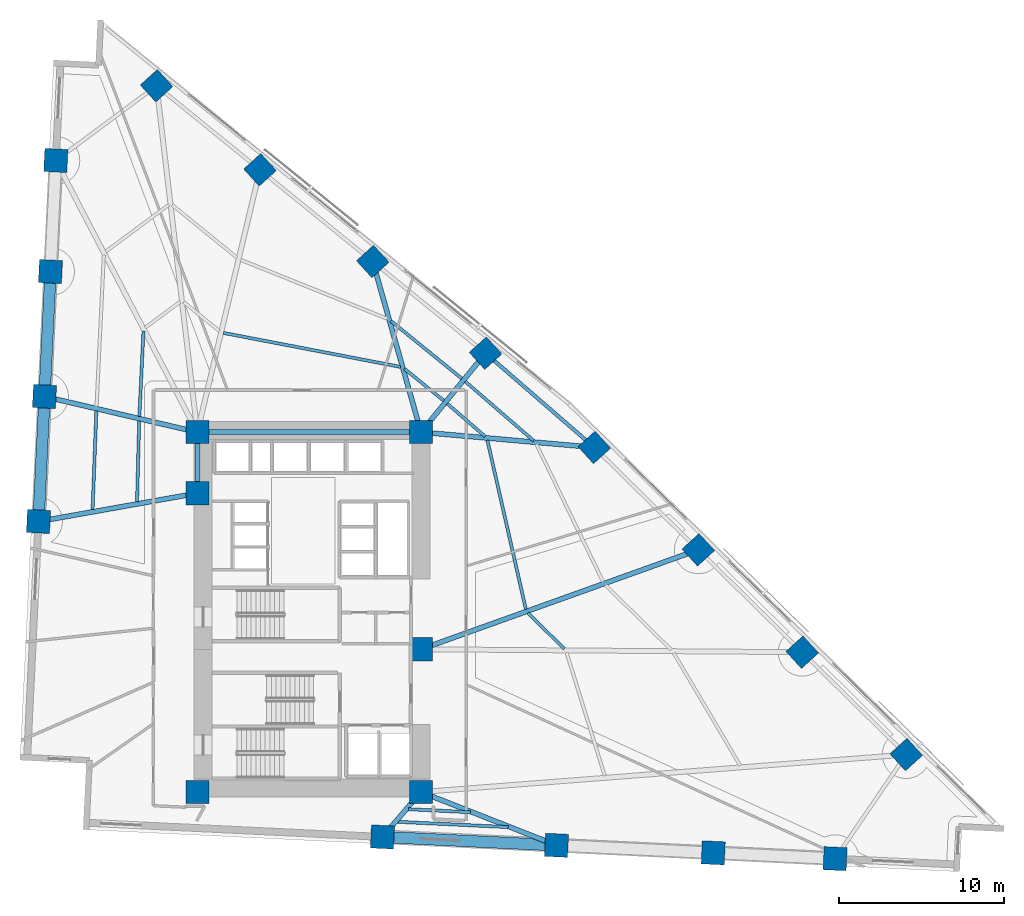
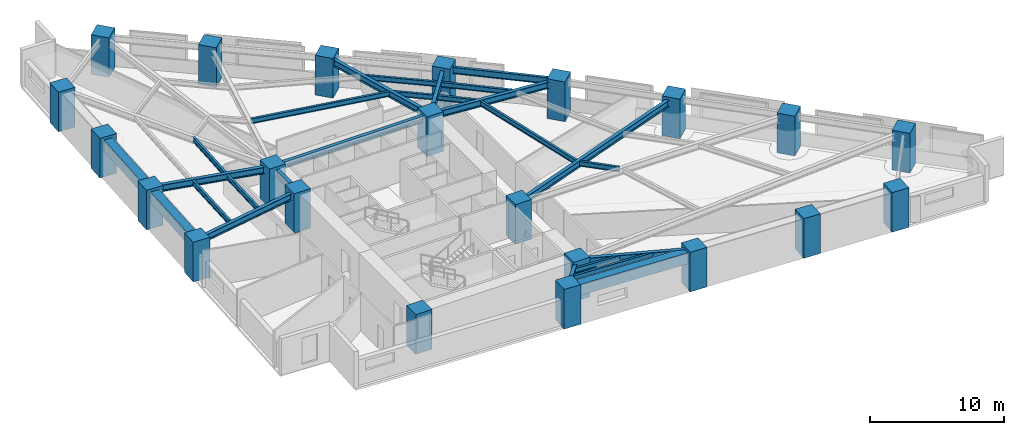
# One storey, part 1 of 18: 26 beams, 22 columns.
"""IFC4 building model written with IfcOpenShell, lengths in metres."""

from ifc_helpers import new_model, si_unit, direction, frame, origin, origin_2d, place, context, subcontext, project, spatial, rectangle, i_section, extrude, material, material_profile, profile_set, type_object, element, save


model = new_model("IFC4")

# Units and contexts
model_context = context("Model", 3, precision=1e-05, world=origin(), true_north=direction((0.0, 1.0)))
body_context = subcontext(model_context, "Body", "Model", "MODEL_VIEW")
ifc_project = project(units=[si_unit("LENGTHUNIT", "METRE"), si_unit("AREAUNIT", "SQUARE_METRE"), si_unit("VOLUMEUNIT", "CUBIC_METRE"), si_unit("PLANEANGLEUNIT", "RADIAN"), si_unit("MASSUNIT", "GRAM", prefix="KILO")], contexts=[model_context])

# Site, building, storey
site_placement = place(None, origin())
site = spatial("IfcSite", under=ifc_project, at=site_placement, CompositionType="ELEMENT")
building_placement = place(site_placement, origin())
building = spatial("IfcBuilding", under=site, at=building_placement, Name="Narakoshi Arena Tower", CompositionType="ELEMENT")
storey_placement = place(building_placement, frame((0.0, 0.0, 44.699951171875)))
storey = spatial("IfcBuildingStorey", under=building, at=storey_placement, Name="L11", CompositionType="ELEMENT", Elevation=44.699951171875)

# Columns
ifc_material_1 = material(Name="Concrete C60/75", Category="concrete")
ifc_material_profile_1 = material_profile(ifc_material_1, rectangle(XDim=1.39990234375, YDim=1.39990234375, at=origin_2d()), Name="RC1400x1400")
ifc_profile_set_1 = profile_set([ifc_material_profile_1], Name="Concrete C60/75")
column_type = type_object("IfcColumnType", Name="COL-RC1400", PredefinedType="COLUMN", material=ifc_profile_set_1)
for number, where, z_axis, x_axis, name in (
    (1, (72.0, 34.699951171875, 0.0), (0.0, 0.0, 1.0), (1.0, 0.0, 0.0), "L11 Core Structural Column CC1"),
    (2, (85.550048828125, 34.699951171875, 0.0), (0.0, 0.0, 1.0), (1.0, 0.0, 0.0), "L11 Core Structural Column CC2"),
    (3, (85.550048828125, 43.35009765625, 0.0), (0.0, 0.0, 1.0), (1.0, 0.0, 0.0), "L11 Core Structural Column CC3"),
    (4, (72.0, 52.800048828125, 0.0), (0.0, 0.0, 1.0), (1.0, 0.0, 0.0), "L11 Core Structural Column CC4"),
    (5, (72.0, 56.5, 0.0), (0.0, 0.0, 1.0), (1.0, 0.0, 0.0), "L11 Core Structural Column CC5"),
    (6, (85.550048828125, 56.5, 0.0), (0.0, 0.0, 1.0), (1.0, 0.0, 0.0), "L11 Core Structural Column CC6"),
    (7, (83.2119140625, 31.979248046875, 0.0), (0.0, 0.0, 1.0), (-0.998848386485, 0.047978128521, 0.0), "L11 Tower Perimeter Column TC01"),
    (8, (93.760009765625, 31.472412109375, 0.0), (0.0, 0.0, 1.0), (-0.998848386485, 0.047978128521, 0.0), "L11 Tower Perimeter Column TC02"),
    (9, (103.2529296875, 31.0166015625, 0.0), (0.0, 0.0, 1.0), (-0.998848386485, 0.047978128521, 0.0), "L11 Tower Perimeter Column TC03"),
    (10, (110.636474609375, 30.661865234375, 0.0), (0.0, 0.0, 1.0), (-0.998848386485, 0.047978128521, 0.0), "L11 Tower Perimeter Column TC04"),
    (11, (114.942138671875, 36.969970703125, 0.0), (0.0, 0.0, 1.0), (0.740218127487, 0.672366807435, 0.0), "L11 Tower Perimeter Column TC05"),
    (12, (108.643798828125, 43.171875, 0.0), (0.0, 0.0, 1.0), (0.740218127487, 0.672366807435, 0.0), "L11 Tower Perimeter Column TC06"),
    (13, (102.345458984375, 49.373779296875, 0.0), (0.0, 0.0, 1.0), (0.740218127487, 0.672366807435, 0.0), "L11 Tower Perimeter Column TC07"),
    (14, (96.047119140625, 55.57568359375, 0.0), (0.0, 0.0, 1.0), (0.740218127487, 0.672366807435, 0.0), "L11 Tower Perimeter Column TC08"),
    (15, (89.459716796875, 61.28515625, 0.0), (0.0, 0.0, 1.0), (0.740218127487, 0.672366807435, 0.0), "L11 Tower Perimeter Column TC09"),
    (16, (82.626953125, 66.838623046875, 0.0), (0.0, 0.0, 1.0), (0.740218127487, 0.672366807435, 0.0), "L11 Tower Perimeter Column TC10"),
    (17, (75.794189453125, 72.392333984375, 0.0), (0.0, 0.0, 1.0), (0.740218127487, 0.672366807435, 0.0), "L11 Tower Perimeter Column TC11"),
    (18, (69.531005859375, 77.483154296875, 0.0), (0.0, 0.0, 1.0), (0.740218127487, 0.672366807435, 0.0), "L11 Tower Perimeter Column TC12"),
    (19, (63.42822265625, 72.95654296875, 0.0), (0.0, 0.0, 1.0), (0.047978128521, 0.998848386485, 0.0), "L11 Tower Perimeter Column TC13"),
    (20, (63.10498046875, 66.228271484375, 0.0), (0.0, 0.0, 1.0), (0.047978128521, 0.998848386485, 0.0), "L11 Tower Perimeter Column TC14"),
    (21, (62.74169921875, 58.658935546875, 0.0), (0.0, 0.0, 1.0), (0.047978128521, 0.998848386485, 0.0), "L11 Tower Perimeter Column TC15"),
    (22, (62.3779296875, 51.08984375, 0.0), (0.0, 0.0, 1.0), (0.047978128521, 0.998848386485, 0.0), "L11 Tower Perimeter Column TC16"),
):
    element("IfcColumn", number, at=place(storey_placement, frame(where, z_axis=z_axis, x_axis=x_axis)), inside=storey, type_object=column_type, Name=name, PredefinedType="COLUMN", context=body_context, shape_type="SweptSolid", body=[
        extrude(rectangle(XDim=1.39990234375, YDim=1.39990234375, at=origin_2d()), origin(), (0.0, 0.0, 1.0), 3.60009765625),
    ])

# Beams
ifc_material_profile_2 = material_profile(ifc_material_1, rectangle(XDim=0.699951171875, YDim=1.0, at=origin_2d()), Name="RCB700x1000")
ifc_profile_set_2 = profile_set([ifc_material_profile_2], Name="Concrete C60/75")
beam_type_1 = type_object("IfcBeamType", Name="BM-CPL-1000", PredefinedType="BEAM", material=ifc_profile_set_2)
beam_1_placement = place(storey_placement, frame((83.2119140625, 31.979248046875, 2.840087890625), z_axis=(0.998847594152, -0.047994621119, 0.0), x_axis=(0.047994621119, 0.998847594152, 0.0)))
element("IfcBeam", 23, at=beam_1_placement, inside=storey, type_object=beam_type_1, Name="L11 Perimeter Edge Girder 01", PredefinedType="BEAM", context=body_context, shape_type="SweptSolid", body=[
    extrude(rectangle(XDim=0.699951171875, YDim=1.0, at=origin_2d()), origin(), (0.0, 0.0, 1.0), 10.560302734375),
])
beam_2_placement = place(storey_placement, frame((63.10498046875, 66.228271484375, 2.840087890625), z_axis=(-0.047938627957, -0.99885028305, 0.0), x_axis=(0.99885028305, -0.047938627957, 0.0)))
element("IfcBeam", 24, at=beam_2_placement, inside=storey, type_object=beam_type_1, Name="L11 Perimeter Edge Girder 14", PredefinedType="BEAM", context=body_context, shape_type="SweptSolid", body=[
    extrude(rectangle(XDim=0.699951171875, YDim=1.0, at=origin_2d()), origin(), (0.0, 0.0, 1.0), 7.578125),
])
beam_3_placement = place(storey_placement, frame((62.74169921875, 58.658935546875, 2.840087890625), z_axis=(-0.048004457986, -0.998847121442, 0.0), x_axis=(0.998847121442, -0.048004457986, 0.0)))
element("IfcBeam", 25, at=beam_3_placement, inside=storey, type_object=beam_type_1, Name="L11 Perimeter Edge Girder 15", PredefinedType="BEAM", context=body_context, shape_type="SweptSolid", body=[
    extrude(rectangle(XDim=0.699951171875, YDim=1.0, at=origin_2d()), origin(), (0.0, 0.0, 1.0), 7.577880859375),
])
ifc_material_2 = material(Name="Structural steel S355J2", Category="steel")
ifc_material_profile_3 = material_profile(ifc_material_2, i_section(OverallWidth=0.219970703125, OverallDepth=0.60009765625, WebThickness=0.011962890625, FlangeThickness=0.01904296875, FilletRadius=0.02392578125, at=origin_2d()), Name="IPE600")
ifc_profile_set_3 = profile_set([ifc_material_profile_3], Name="Structural steel S355J2")
beam_type_2 = type_object("IfcBeamType", Name="BM-EDGE-600", PredefinedType="BEAM", material=ifc_profile_set_3)
beam_4_placement = place(storey_placement, frame((96.047119140625, 55.57568359375, 3.0400390625), z_axis=(-0.755666904752, 0.654956127586, 0.0), x_axis=(-0.654956127586, -0.755666904752, 0.0)))
element("IfcBeam", 26, at=beam_4_placement, inside=storey, type_object=beam_type_2, Name="L11 Perimeter Edge Girder 08", PredefinedType="BEAM", context=body_context, shape_type="SweptSolid", body=[
    extrude(i_section(OverallWidth=0.219970703125, OverallDepth=0.60009765625, WebThickness=0.011962890625, FlangeThickness=0.01904296875, FilletRadius=0.02392578125, at=origin_2d()), origin(), (0.0, 0.0, 1.0), 8.71728515625),
])
ifc_material_profile_4 = material_profile(ifc_material_2, i_section(OverallWidth=0.300048828125, OverallDepth=0.60009765625, WebThickness=0.015380859375, FlangeThickness=0.030029296875, FilletRadius=0.027099609375, at=origin_2d()), Name="HE600B")
ifc_profile_set_4 = profile_set([ifc_material_profile_4], Name="Structural steel S355J2")
beam_type_3 = type_object("IfcBeamType", Name="BM-PRI-600", PredefinedType="BEAM", material=ifc_profile_set_4)
beam_5_placement = place(storey_placement, frame((85.550048828125, 34.699951171875, 3.0400390625), z_axis=(-0.651771636497, -0.75841527797, 0.0), x_axis=(0.75841527797, -0.651771636497, 0.0)))
element("IfcBeam", 27, at=beam_5_placement, inside=storey, type_object=beam_type_3, Name="L11 Radial Primary Floor Girder 01", PredefinedType="BEAM", context=body_context, shape_type="SweptSolid", body=[
    extrude(i_section(OverallWidth=0.300048828125, OverallDepth=0.60009765625, WebThickness=0.015380859375, FlangeThickness=0.030029296875, FilletRadius=0.027099609375, at=origin_2d()), origin(), (0.0, 0.0, 1.0), 3.58740234375),
])
beam_6_placement = place(storey_placement, frame((85.550048828125, 34.699951171875, 3.0400390625), z_axis=(0.930666699288, -0.365868138592, 0.0), x_axis=(0.365868138592, 0.930666699288, 0.0)))
element("IfcBeam", 28, at=beam_6_placement, inside=storey, type_object=beam_type_3, Name="L11 Radial Primary Floor Girder 02", PredefinedType="BEAM", context=body_context, shape_type="SweptSolid", body=[
    extrude(i_section(OverallWidth=0.300048828125, OverallDepth=0.60009765625, WebThickness=0.015380859375, FlangeThickness=0.030029296875, FilletRadius=0.027099609375, at=origin_2d()), origin(), (0.0, 0.0, 1.0), 8.821533203125),
])
beam_7_placement = place(storey_placement, frame((85.550048828125, 43.35009765625, 3.0400390625), z_axis=(0.941291582753, 0.337594662634, 0.0), x_axis=(-0.337594662634, 0.941291582753, 0.0)))
element("IfcBeam", 29, at=beam_7_placement, inside=storey, type_object=beam_type_3, Name="L11 Radial Primary Floor Girder 07", PredefinedType="BEAM", context=body_context, shape_type="SweptSolid", body=[
    extrude(i_section(OverallWidth=0.300048828125, OverallDepth=0.60009765625, WebThickness=0.015380859375, FlangeThickness=0.030029296875, FilletRadius=0.027099609375, at=origin_2d()), origin(), (0.0, 0.0, 1.0), 17.843017578125),
])
beam_8_placement = place(storey_placement, frame((85.550048828125, 56.5, 3.0400390625), z_axis=(0.996145584519, -0.087715303354, 0.0), x_axis=(0.087715303354, 0.996145584519, 0.0)))
element("IfcBeam", 30, at=beam_8_placement, inside=storey, type_object=beam_type_3, Name="L11 Radial Primary Floor Girder 08", PredefinedType="BEAM", context=body_context, shape_type="SweptSolid", body=[
    extrude(i_section(OverallWidth=0.300048828125, OverallDepth=0.60009765625, WebThickness=0.015380859375, FlangeThickness=0.030029296875, FilletRadius=0.027099609375, at=origin_2d()), origin(), (0.0, 0.0, 1.0), 10.53759765625),
])
beam_9_placement = place(storey_placement, frame((85.550048828125, 56.5, 3.0400390625), z_axis=(0.632708368655, 0.774390160212, 0.0), x_axis=(-0.774390160212, 0.632708368655, 0.0)))
element("IfcBeam", 31, at=beam_9_placement, inside=storey, type_object=beam_type_3, Name="L11 Radial Primary Floor Girder 09", PredefinedType="BEAM", context=body_context, shape_type="SweptSolid", body=[
    extrude(i_section(OverallWidth=0.300048828125, OverallDepth=0.60009765625, WebThickness=0.015380859375, FlangeThickness=0.030029296875, FilletRadius=0.027099609375, at=origin_2d()), origin(), (0.0, 0.0, 1.0), 6.17919921875),
])
beam_10_placement = place(storey_placement, frame((85.550048828125, 56.5, 3.0400390625), z_axis=(-0.272069994974, 0.962277464058, 0.0), x_axis=(-0.962277464058, -0.272069994974, 0.0)))
element("IfcBeam", 32, at=beam_10_placement, inside=storey, type_object=beam_type_3, Name="L11 Radial Primary Floor Girder 10", PredefinedType="BEAM", context=body_context, shape_type="SweptSolid", body=[
    extrude(i_section(OverallWidth=0.300048828125, OverallDepth=0.60009765625, WebThickness=0.015380859375, FlangeThickness=0.030029296875, FilletRadius=0.027099609375, at=origin_2d()), origin(), (0.0, 0.0, 1.0), 10.743896484375),
])
beam_11_placement = place(storey_placement, frame((72.0, 56.5, 3.0400390625), z_axis=(-0.973872266719, 0.227096473145, 0.0), x_axis=(-0.227096473145, -0.973872266719, 0.0)))
element("IfcBeam", 33, at=beam_11_placement, inside=storey, type_object=beam_type_3, Name="L11 Radial Primary Floor Girder 15", PredefinedType="BEAM", context=body_context, shape_type="SweptSolid", body=[
    extrude(i_section(OverallWidth=0.300048828125, OverallDepth=0.60009765625, WebThickness=0.015380859375, FlangeThickness=0.030029296875, FilletRadius=0.027099609375, at=origin_2d()), origin(), (0.0, 0.0, 1.0), 9.506591796875),
])
beam_12_placement = place(storey_placement, frame((72.0, 52.800048828125, 3.0400390625), z_axis=(-0.984569299514, -0.174995126944, 0.0), x_axis=(0.174995126944, -0.984569299514, 0.0)))
element("IfcBeam", 34, at=beam_12_placement, inside=storey, type_object=beam_type_3, Name="L11 Radial Primary Floor Girder 16", PredefinedType="BEAM", context=body_context, shape_type="SweptSolid", body=[
    extrude(i_section(OverallWidth=0.300048828125, OverallDepth=0.60009765625, WebThickness=0.015380859375, FlangeThickness=0.030029296875, FilletRadius=0.027099609375, at=origin_2d()), origin(), (0.0, 0.0, 1.0), 9.77294921875),
])
beam_13_placement = place(storey_placement, frame((72.0, 52.800048828125, 3.0400390625), z_axis=(0.0, 1.0, 0.0), x_axis=(-1.0, 0.0, 0.0)))
element("IfcBeam", 35, at=beam_13_placement, inside=storey, type_object=beam_type_3, Name="L11 Core Perimeter Frame Beam CC4-CC5", PredefinedType="BEAM", context=body_context, shape_type="SweptSolid", body=[
    extrude(i_section(OverallWidth=0.300048828125, OverallDepth=0.60009765625, WebThickness=0.015380859375, FlangeThickness=0.030029296875, FilletRadius=0.027099609375, at=origin_2d()), origin(), (0.0, 0.0, 1.0), 3.699951171875),
])
beam_14_placement = place(storey_placement, frame((72.0, 56.5, 3.0400390625), z_axis=(1.0, 0.0, 0.0), x_axis=(0.0, 1.0, 0.0)))
element("IfcBeam", 36, at=beam_14_placement, inside=storey, type_object=beam_type_3, Name="L11 Core Perimeter Frame Beam CC5-CC6", PredefinedType="BEAM", context=body_context, shape_type="SweptSolid", body=[
    extrude(i_section(OverallWidth=0.300048828125, OverallDepth=0.60009765625, WebThickness=0.015380859375, FlangeThickness=0.030029296875, FilletRadius=0.027099609375, at=origin_2d()), origin(), (0.0, 0.0, 1.0), 13.550048828125),
])
ifc_material_profile_5 = material_profile(ifc_material_2, i_section(OverallWidth=0.18994140625, OverallDepth=0.449951171875, WebThickness=0.009521484375, FlangeThickness=0.0146484375, FilletRadius=0.02099609375, at=origin_2d()), Name="IPE450")
ifc_profile_set_5 = profile_set([ifc_material_profile_5], Name="Structural steel S355J2")
beam_type_4 = type_object("IfcBeamType", Name="BM-SEC-450", PredefinedType="JOIST", material=ifc_profile_set_5)
beam_15_placement = place(storey_placement, frame((84.79638671875, 33.65966796875, 3.114990234375), z_axis=(0.998846936013, -0.04800831613, 0.0), x_axis=(0.04800831613, 0.998846936013, 0.0)))
element("IfcBeam", 37, at=beam_15_placement, inside=storey, type_object=beam_type_4, Name="L11 Composite Secondary Floor Joist 01", PredefinedType="JOIST", context=body_context, shape_type="SweptSolid", body=[
    extrude(i_section(OverallWidth=0.18994140625, OverallDepth=0.449951171875, WebThickness=0.009521484375, FlangeThickness=0.0146484375, FilletRadius=0.02099609375, at=origin_2d()), origin(), (0.0, 0.0, 1.0), 3.742919921875),
])
beam_16_placement = place(storey_placement, frame((84.141845703125, 32.897705078125, 3.114990234375), z_axis=(0.998849428326, -0.047956433699, 0.0), x_axis=(0.047956433699, 0.998849428326, 0.0)))
element("IfcBeam", 38, at=beam_16_placement, inside=storey, type_object=beam_type_4, Name="L11 Composite Secondary Floor Joist 02", PredefinedType="JOIST", context=body_context, shape_type="SweptSolid", body=[
    extrude(i_section(OverallWidth=0.18994140625, OverallDepth=0.449951171875, WebThickness=0.009521484375, FlangeThickness=0.0146484375, FilletRadius=0.02099609375, at=origin_2d()), origin(), (0.0, 0.0, 1.0), 6.69970703125),
])
beam_17_placement = place(storey_placement, frame((94.2294921875, 43.376953125, 3.114990234375), z_axis=(-0.712578369214, 0.701592522572, 0.0), x_axis=(-0.701592522572, -0.712578369214, 0.0)))
element("IfcBeam", 39, at=beam_17_placement, inside=storey, type_object=beam_type_4, Name="L11 Composite Secondary Floor Joist 05", PredefinedType="JOIST", context=body_context, shape_type="SweptSolid", body=[
    extrude(i_section(OverallWidth=0.18994140625, OverallDepth=0.449951171875, WebThickness=0.009521484375, FlangeThickness=0.0146484375, FilletRadius=0.02099609375, at=origin_2d()), origin(), (0.0, 0.0, 1.0), 3.089111328125),
])
beam_18_placement = place(storey_placement, frame((91.90234375, 45.770751953125, 3.114990234375), z_axis=(-0.222053868042, 0.975034399233, 0.0), x_axis=(-0.975034399233, -0.222053868042, 0.0)))
element("IfcBeam", 40, at=beam_18_placement, inside=storey, type_object=beam_type_4, Name="L11 Composite Secondary Floor Joist 07", PredefinedType="JOIST", context=body_context, shape_type="SweptSolid", body=[
    extrude(i_section(OverallWidth=0.18994140625, OverallDepth=0.449951171875, WebThickness=0.009521484375, FlangeThickness=0.0146484375, FilletRadius=0.02099609375, at=origin_2d()), origin(), (0.0, 0.0, 1.0), 10.5087890625),
])
beam_19_placement = place(storey_placement, frame((89.436767578125, 56.2373046875, 3.114990234375), z_axis=(-0.755665253251, 0.654958033029, 0.0), x_axis=(-0.654958033029, -0.755665253251, 0.0)))
element("IfcBeam", 41, at=beam_19_placement, inside=storey, type_object=beam_type_4, Name="L11 Composite Secondary Floor Joist 09", PredefinedType="JOIST", context=body_context, shape_type="SweptSolid", body=[
    extrude(i_section(OverallWidth=0.18994140625, OverallDepth=0.449951171875, WebThickness=0.009521484375, FlangeThickness=0.0146484375, FilletRadius=0.02099609375, at=origin_2d()), origin(), (0.0, 0.0, 1.0), 3.04248046875),
])
beam_20_placement = place(storey_placement, frame((92.3759765625, 55.978515625, 3.114990234375), z_axis=(-0.755690551911, 0.654928843274, 0.0), x_axis=(-0.654928843274, -0.755690551911, 0.0)))
element("IfcBeam", 42, at=beam_20_placement, inside=storey, type_object=beam_type_4, Name="L11 Composite Secondary Floor Joist 10", PredefinedType="JOIST", context=body_context, shape_type="SweptSolid", body=[
    extrude(i_section(OverallWidth=0.18994140625, OverallDepth=0.449951171875, WebThickness=0.009521484375, FlangeThickness=0.0146484375, FilletRadius=0.02099609375, at=origin_2d()), origin(), (0.0, 0.0, 1.0), 5.483154296875),
])
beam_21_placement = place(storey_placement, frame((86.930908203125, 58.403564453125, 3.114990234375), z_axis=(-0.776029017358, 0.630697204861, 0.0), x_axis=(-0.630697204861, -0.776029017358, 0.0)))
element("IfcBeam", 43, at=beam_21_placement, inside=storey, type_object=beam_type_4, Name="L11 Composite Secondary Floor Joist 11", PredefinedType="JOIST", context=body_context, shape_type="SweptSolid", body=[
    extrude(i_section(OverallWidth=0.18994140625, OverallDepth=0.449951171875, WebThickness=0.009521484375, FlangeThickness=0.0146484375, FilletRadius=0.02099609375, at=origin_2d()), origin(), (0.0, 0.0, 1.0), 3.075927734375),
])
beam_22_placement = place(storey_placement, frame((88.025634765625, 59.743408203125, 3.114990234375), z_axis=(-0.77601830452, 0.630710386033, 0.0), x_axis=(-0.630710386033, -0.77601830452, 0.0)))
element("IfcBeam", 44, at=beam_22_placement, inside=storey, type_object=beam_type_4, Name="L11 Composite Secondary Floor Joist 12", PredefinedType="JOIST", context=body_context, shape_type="SweptSolid", body=[
    extrude(i_section(OverallWidth=0.18994140625, OverallDepth=0.449951171875, WebThickness=0.009521484375, FlangeThickness=0.0146484375, FilletRadius=0.02099609375, at=origin_2d()), origin(), (0.0, 0.0, 1.0), 5.541259765625),
])
beam_23_placement = place(storey_placement, frame((84.306640625, 60.4541015625, 3.114990234375), z_axis=(-0.98207951477, 0.188467043986, 0.0), x_axis=(-0.188467043986, -0.98207951477, 0.0)))
element("IfcBeam", 45, at=beam_23_placement, inside=storey, type_object=beam_type_4, Name="L11 Composite Secondary Floor Joist 13", PredefinedType="JOIST", context=body_context, shape_type="SweptSolid", body=[
    extrude(i_section(OverallWidth=0.18994140625, OverallDepth=0.449951171875, WebThickness=0.009521484375, FlangeThickness=0.0146484375, FilletRadius=0.02099609375, at=origin_2d()), origin(), (0.0, 0.0, 1.0), 10.927978515625),
])
beam_24_placement = place(storey_placement, frame((68.736328125, 62.61865234375, 3.114990234375), z_axis=(-0.047984757536, -0.998848068048, 0.0), x_axis=(0.998848068048, -0.047984757536, 0.0)))
element("IfcBeam", 46, at=beam_24_placement, inside=storey, type_object=beam_type_4, Name="L11 Composite Secondary Floor Joist 19", PredefinedType="JOIST", context=body_context, shape_type="SweptSolid", body=[
    extrude(i_section(OverallWidth=0.18994140625, OverallDepth=0.449951171875, WebThickness=0.009521484375, FlangeThickness=0.0146484375, FilletRadius=0.02099609375, at=origin_2d()), origin(), (0.0, 0.0, 1.0), 5.169189453125),
])
beam_25_placement = place(storey_placement, frame((68.478271484375, 57.185546875, 3.114990234375), z_axis=(-0.026744117258, -0.999642312126, 0.0), x_axis=(0.999642312126, -0.026744117258, 0.0)))
element("IfcBeam", 47, at=beam_25_placement, inside=storey, type_object=beam_type_4, Name="L11 Composite Secondary Floor Joist 21", PredefinedType="JOIST", context=body_context, shape_type="SweptSolid", body=[
    extrude(i_section(OverallWidth=0.18994140625, OverallDepth=0.449951171875, WebThickness=0.009521484375, FlangeThickness=0.0146484375, FilletRadius=0.02099609375, at=origin_2d()), origin(), (0.0, 0.0, 1.0), 4.902099609375),
])
beam_26_placement = place(storey_placement, frame((65.88427734375, 57.7900390625, 3.114990234375), z_axis=(-0.038323519423, -0.999265384099, 0.0), x_axis=(0.999265384099, -0.038323519423, 0.0)))
element("IfcBeam", 48, at=beam_26_placement, inside=storey, type_object=beam_type_4, Name="L11 Composite Secondary Floor Joist 22", PredefinedType="JOIST", context=body_context, shape_type="SweptSolid", body=[
    extrude(i_section(OverallWidth=0.18994140625, OverallDepth=0.449951171875, WebThickness=0.009521484375, FlangeThickness=0.0146484375, FilletRadius=0.02099609375, at=origin_2d()), origin(), (0.0, 0.0, 1.0), 5.98828125),
])

save(model, "model.ifc")
